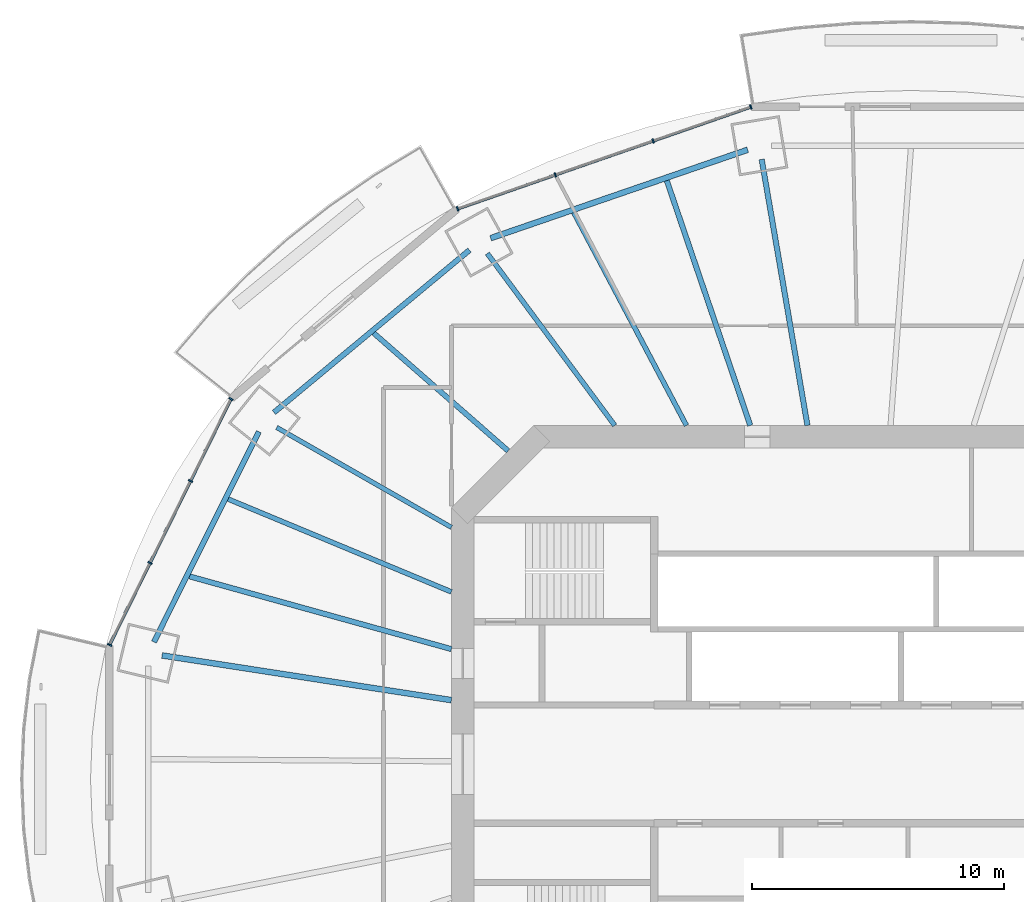
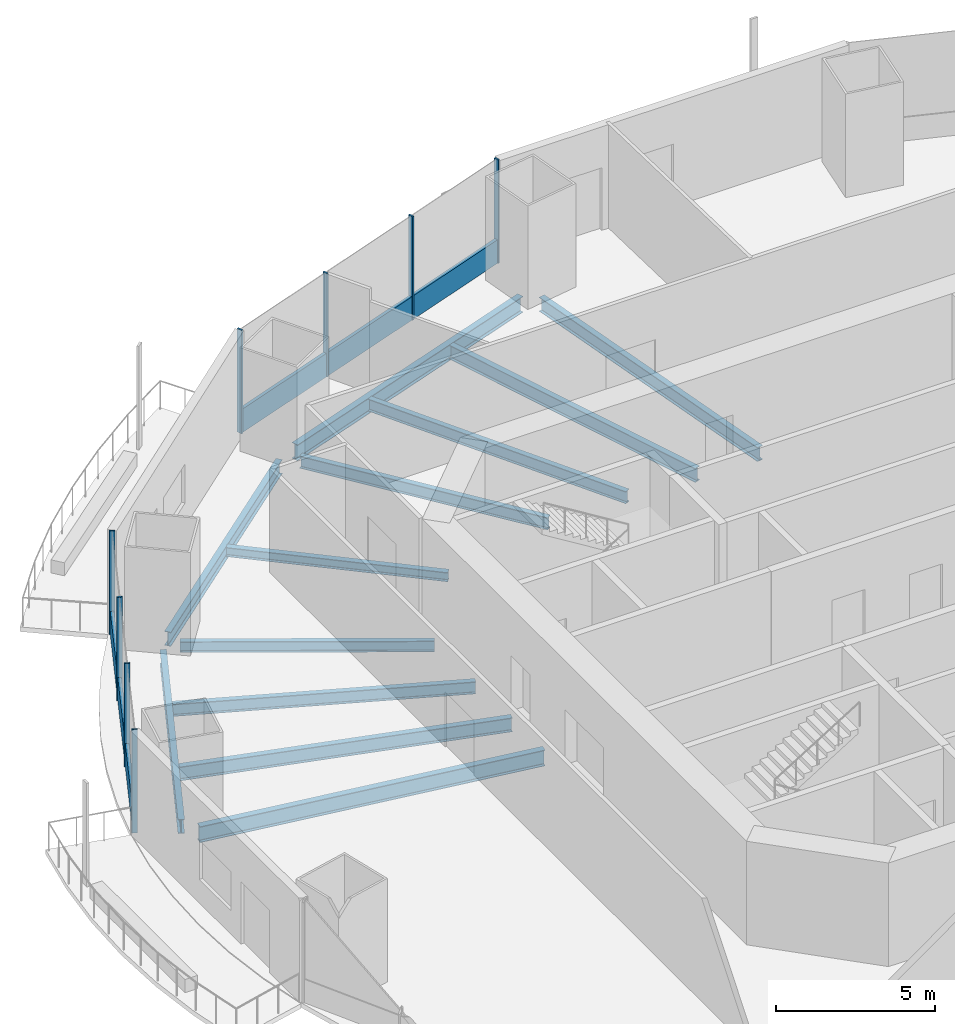
# One storey, part 6 of 20: 12 beams, 10 members, 2 elements without a shape of their own.
"""IFC4 building model written with IfcOpenShell, lengths in metres."""

from ifc_helpers import new_model, si_unit, direction, frame, origin, origin_2d, place, context, subcontext, project, spatial, rectangle, i_section, extrude, material, material_profile, profile_set, type_object, element, aggregate, save


model = new_model("IFC4")

# Units and contexts
model_context = context("Model", 3, precision=1e-05, world=origin(), true_north=direction((0.0, 1.0)))
body_context = subcontext(model_context, "Body", "Model", "MODEL_VIEW")
ifc_project = project(units=[si_unit("LENGTHUNIT", "METRE"), si_unit("AREAUNIT", "SQUARE_METRE"), si_unit("VOLUMEUNIT", "CUBIC_METRE"), si_unit("PLANEANGLEUNIT", "RADIAN"), si_unit("MASSUNIT", "GRAM", prefix="KILO")], contexts=[model_context])

# Site, building, storey
site_placement = place(None, origin())
site = spatial("IfcSite", under=ifc_project, at=site_placement, CompositionType="ELEMENT")
building_placement = place(site_placement, origin())
building = spatial("IfcBuilding", under=site, at=building_placement, Name="Marenthal Gate Tower", CompositionType="ELEMENT")
storey_placement = place(building_placement, frame((0.0, 0.0, 177.64990234375)))
storey = spatial("IfcBuildingStorey", under=building, at=storey_placement, Name="L38", CompositionType="ELEMENT", Elevation=177.64990234375)

# Curtain wall, members
ifc_material_1 = material(Name="Aluminium and glass", Category="aluminium")
curtain_wall_type = type_object("IfcCurtainWallType", Name="Curtain wall typical mid", PredefinedType="NOTDEFINED", material=ifc_material_1)
curtain_wall_1_placement = place(storey_placement, origin())
curtain_wall_1 = element("IfcCurtainWall", 1, at=curtain_wall_1_placement, inside=storey, type_object=curtain_wall_type, Name="Curtain wall L38 bay 5", PredefinedType="NOTDEFINED")
ifc_material_2 = material(Name="Aluminium", Category="aluminium")
ifc_material_profile_1 = material_profile(ifc_material_2, rectangle(XDim=0.179931640625, YDim=0.06005859375, at=origin_2d()), Name="60x180 aluminium mullion")
ifc_profile_set_1 = profile_set([ifc_material_profile_1], Name="Aluminium")
member_type_1 = type_object("IfcMemberType", Name="Mullion 60x180 typical mid", PredefinedType="MULLION", material=ifc_profile_set_1)
member_1_placement = place(storey_placement, frame((-4.560302734375, 26.093017578125, 0.0), z_axis=(0.0, 0.0, 1.0), x_axis=(0.32821091538, -0.944604464856, 0.0)))
member_1 = element("IfcMember", 2, at=member_1_placement, type_object=member_type_1, Name="Mullion L38 bay 5.1", PredefinedType="MULLION", context=body_context, shape_type="SweptSolid", body=[
    extrude(rectangle(XDim=0.179931640625, YDim=0.06005859375, at=origin_2d()), origin(), (0.0, 0.0, 1.0), 3.97021484375),
])
member_2_placement = place(storey_placement, frame((-8.44140625, 24.74462890625, 0.0), z_axis=(0.0, 0.0, 1.0), x_axis=(0.32821091538, -0.944604464856, 0.0)))
member_2 = element("IfcMember", 3, at=member_2_placement, type_object=member_type_1, Name="Mullion L38 bay 5.2", PredefinedType="MULLION", context=body_context, shape_type="SweptSolid", body=[
    extrude(rectangle(XDim=0.179931640625, YDim=0.06005859375, at=origin_2d()), origin(), (0.0, 0.0, 1.0), 3.97021484375),
])
member_3_placement = place(storey_placement, frame((-12.322509765625, 23.39599609375, 0.0), z_axis=(0.0, 0.0, 1.0), x_axis=(0.32821091538, -0.944604464856, 0.0)))
member_3 = element("IfcMember", 4, at=member_3_placement, type_object=member_type_1, Name="Mullion L38 bay 5.3", PredefinedType="MULLION", context=body_context, shape_type="SweptSolid", body=[
    extrude(rectangle(XDim=0.179931640625, YDim=0.06005859375, at=origin_2d()), origin(), (0.0, 0.0, 1.0), 3.97021484375),
])
member_4_placement = place(storey_placement, frame((-16.20361328125, 22.04736328125, 0.0), z_axis=(0.0, 0.0, 1.0), x_axis=(0.32821091538, -0.944604464856, 0.0)))
member_4 = element("IfcMember", 5, at=member_4_placement, type_object=member_type_1, Name="Mullion L38 bay 5.4", PredefinedType="MULLION", context=body_context, shape_type="SweptSolid", body=[
    extrude(rectangle(XDim=0.179931640625, YDim=0.06005859375, at=origin_2d()), origin(), (0.0, 0.0, 1.0), 3.97021484375),
])

curtain_wall_2_placement = place(storey_placement, origin())
curtain_wall_2 = element("IfcCurtainWall", 6, at=curtain_wall_2_placement, inside=storey, type_object=curtain_wall_type, Name="Curtain wall L38 bay 7", PredefinedType="NOTDEFINED")
member_5_placement = place(storey_placement, frame((-25.2001953125, 14.4990234375, 0.0), z_axis=(0.0, 0.0, 1.0), x_axis=(0.89664343149, -0.442753381428, 0.0)))
member_5 = element("IfcMember", 7, at=member_5_placement, type_object=member_type_1, Name="Mullion L38 bay 7.1", PredefinedType="MULLION", context=body_context, shape_type="SweptSolid", body=[
    extrude(rectangle(XDim=0.179931640625, YDim=0.06005859375, at=origin_2d()), origin(), (0.0, 0.0, 1.0), 3.97021484375),
])
member_6_placement = place(storey_placement, frame((-26.806884765625, 11.24560546875, 0.0), z_axis=(0.0, 0.0, 1.0), x_axis=(0.89664343149, -0.442753381428, 0.0)))
member_6 = element("IfcMember", 8, at=member_6_placement, type_object=member_type_1, Name="Mullion L38 bay 7.2", PredefinedType="MULLION", context=body_context, shape_type="SweptSolid", body=[
    extrude(rectangle(XDim=0.179931640625, YDim=0.06005859375, at=origin_2d()), origin(), (0.0, 0.0, 1.0), 3.97021484375),
])
member_7_placement = place(storey_placement, frame((-28.413330078125, 7.991943359375, 0.0), z_axis=(0.0, 0.0, 1.0), x_axis=(0.89664343149, -0.442753381428, 0.0)))
member_7 = element("IfcMember", 9, at=member_7_placement, type_object=member_type_1, Name="Mullion L38 bay 7.3", PredefinedType="MULLION", context=body_context, shape_type="SweptSolid", body=[
    extrude(rectangle(XDim=0.179931640625, YDim=0.06005859375, at=origin_2d()), origin(), (0.0, 0.0, 1.0), 3.97021484375),
])
member_8_placement = place(storey_placement, frame((-30.02001953125, 4.738525390625, 0.0), z_axis=(0.0, 0.0, 1.0), x_axis=(0.89664343149, -0.442753381428, 0.0)))
member_8 = element("IfcMember", 10, at=member_8_placement, type_object=member_type_1, Name="Mullion L38 bay 7.4", PredefinedType="MULLION", context=body_context, shape_type="SweptSolid", body=[
    extrude(rectangle(XDim=0.179931640625, YDim=0.06005859375, at=origin_2d()), origin(), (0.0, 0.0, 1.0), 3.97021484375),
])

# Member
ifc_material_3 = material(Name="Aluminium", Category="aluminium")
ifc_material_profile_2 = material_profile(ifc_material_3, rectangle(XDim=0.1201171875, YDim=0.89990234375, at=origin_2d()), Name="120x900 aluminium transom")
ifc_profile_set_2 = profile_set([ifc_material_profile_2], Name="Aluminium")
member_type_2 = type_object("IfcMemberType", Name="Transom 120x900 typical mid", PredefinedType="USERDEFINED", material=ifc_profile_set_2)
member_9_placement = place(storey_placement, frame((-4.588623046875, 26.083251953125, 0.4501953125), z_axis=(-0.944604688319, -0.328210272243, 0.0), x_axis=(0.328210272243, -0.944604688319, 0.0)))
member_9 = element("IfcMember", 11, at=member_9_placement, type_object=member_type_2, Name="Transom L38 bay 5", ObjectType="TRANSOM", PredefinedType="USERDEFINED", context=body_context, shape_type="SweptSolid", body=[
    extrude(rectangle(XDim=0.1201171875, YDim=0.89990234375, at=origin_2d()), origin(), (0.0, 0.0, 1.0), 12.26611328125),
])

aggregate(curtain_wall_1, [member_1, member_2, member_3, member_4, member_9])

member_10_placement = place(storey_placement, frame((-25.213623046875, 14.47216796875, 0.4501953125), z_axis=(-0.442760838876, -0.896639749039, 0.0), x_axis=(0.896639749039, -0.442760838876, 0.0)))
member_10 = element("IfcMember", 12, at=member_10_placement, type_object=member_type_2, Name="Transom L38 bay 7", ObjectType="TRANSOM", PredefinedType="USERDEFINED", context=body_context, shape_type="SweptSolid", body=[
    extrude(rectangle(XDim=0.1201171875, YDim=0.89990234375, at=origin_2d()), origin(), (0.0, 0.0, 1.0), 10.82568359375),
])

aggregate(curtain_wall_2, [member_5, member_6, member_7, member_8, member_10])

# Beams
ifc_material_4 = material(Name="Steel S355", Category="steel")
ifc_material_profile_3 = material_profile(ifc_material_4, i_section(OverallWidth=0.205078125, OverallDepth=0.35302734375, WebThickness=0.009521484375, FlangeThickness=0.016845703125, FilletRadius=0.014892578125, at=origin_2d()), Name="W360X79")
ifc_profile_set_3 = profile_set([ifc_material_profile_3], Name="Steel S355")
beam_type_1 = type_object("IfcBeamType", Name="W360X79 beam", PredefinedType="BEAM", material=ifc_profile_set_3)
beam_1_placement = place(storey_placement, frame((-19.533203125, 17.115234375, -0.3564453125), z_axis=(0.752145945083, -0.6589965685, 0.0), x_axis=(0.6589965685, 0.752145945083, 0.0)))
element("IfcBeam", 13, at=beam_1_placement, inside=storey, type_object=beam_type_1, Name="BM-L38-25", PredefinedType="BEAM", context=body_context, shape_type="SweptSolid", body=[
    extrude(i_section(OverallWidth=0.205078125, OverallDepth=0.35302734375, WebThickness=0.009521484375, FlangeThickness=0.016845703125, FilletRadius=0.014892578125, at=origin_2d()), origin(), (0.0, 0.0, 1.0), 7.094970703125),
])
ifc_material_5 = material(Name="Steel S355", Category="steel")
ifc_material_profile_4 = material_profile(ifc_material_5, i_section(OverallWidth=0.180908203125, OverallDepth=0.4169921875, WebThickness=0.010986328125, FlangeThickness=0.018310546875, FilletRadius=0.01025390625, at=origin_2d()), Name="W410X85")
ifc_profile_set_4 = profile_set([ifc_material_profile_4], Name="Steel S355")
beam_type_2 = type_object("IfcBeamType", Name="W410X85 beam", PredefinedType="BEAM", material=ifc_profile_set_4)
beam_2_placement = place(storey_placement, frame((-23.38427734375, 13.36865234375, -0.388427734375), z_axis=(0.868141553632, -0.496316675981, 0.0), x_axis=(0.496316675981, 0.868141553632, 0.0)))
element("IfcBeam", 14, at=beam_2_placement, inside=storey, type_object=beam_type_2, Name="BM-L38-07", PredefinedType="BEAM", context=body_context, shape_type="SweptSolid", body=[
    extrude(i_section(OverallWidth=0.180908203125, OverallDepth=0.4169921875, WebThickness=0.010986328125, FlangeThickness=0.018310546875, FilletRadius=0.01025390625, at=origin_2d()), origin(), (0.0, 0.0, 1.0), 7.987548828125),
])
ifc_material_6 = material(Name="Steel S355", Category="steel")
ifc_material_profile_5 = material_profile(ifc_material_6, i_section(OverallWidth=0.193115234375, OverallDepth=0.467041015625, WebThickness=0.011474609375, FlangeThickness=0.01904296875, FilletRadius=0.010009765625, at=origin_2d()), Name="W460X97")
ifc_profile_set_5 = profile_set([ifc_material_profile_5], Name="Steel S355")
beam_type_3 = type_object("IfcBeamType", Name="W460X97 beam", PredefinedType="BEAM", material=ifc_profile_set_5)
beam_3_placement = place(storey_placement, frame((-15.021484375, 20.274658203125, -0.413330078125), z_axis=(0.595307973616, -0.803497614526, 0.0), x_axis=(0.803497614526, 0.595307973616, 0.0)))
element("IfcBeam", 15, at=beam_3_placement, inside=storey, type_object=beam_type_3, Name="BM-L38-06", PredefinedType="BEAM", context=body_context, shape_type="SweptSolid", body=[
    extrude(i_section(OverallWidth=0.193115234375, OverallDepth=0.467041015625, WebThickness=0.011474609375, FlangeThickness=0.01904296875, FilletRadius=0.010009765625, at=origin_2d()), origin(), (0.0, 0.0, 1.0), 8.49365234375),
])
beam_4_placement = place(storey_placement, frame((-11.58984375, 21.89794921875, -0.413330078125), z_axis=(0.4677832695, -0.883843205991, 0.0), x_axis=(0.883843205991, 0.4677832695, 0.0)))
element("IfcBeam", 16, at=beam_4_placement, inside=storey, type_object=beam_type_3, Name="BM-L38-24", PredefinedType="BEAM", context=body_context, shape_type="SweptSolid", body=[
    extrude(i_section(OverallWidth=0.193115234375, OverallDepth=0.467041015625, WebThickness=0.011474609375, FlangeThickness=0.01904296875, FilletRadius=0.010009765625, at=origin_2d()), origin(), (0.0, 0.0, 1.0), 9.558349609375),
])
beam_5_placement = place(storey_placement, frame((-25.31201171875, 10.52587890625, -0.413330078125), z_axis=(0.923343865931, -0.383974094499, 0.0), x_axis=(0.383974094499, 0.923343865931, 0.0)))
element("IfcBeam", 17, at=beam_5_placement, inside=storey, type_object=beam_type_3, Name="BM-L38-26", PredefinedType="BEAM", context=body_context, shape_type="SweptSolid", body=[
    extrude(i_section(OverallWidth=0.193115234375, OverallDepth=0.467041015625, WebThickness=0.011474609375, FlangeThickness=0.01904296875, FilletRadius=0.010009765625, at=origin_2d()), origin(), (0.0, 0.0, 1.0), 9.597900390625),
])
ifc_material_7 = material(Name="Steel S355", Category="steel")
ifc_material_profile_6 = material_profile(ifc_material_7, i_section(OverallWidth=0.2099609375, OverallDepth=0.535888671875, WebThickness=0.010986328125, FlangeThickness=0.017333984375, FilletRadius=0.0126953125, at=origin_2d()), Name="W530X101")
ifc_profile_set_6 = profile_set([ifc_material_profile_6], Name="Steel S355")
beam_type_4 = type_object("IfcBeamType", Name="W530X101 beam", PredefinedType="BEAM", material=ifc_profile_set_6)
beam_6_placement = place(storey_placement, frame((-7.89697265625, 23.16845703125, -0.447998046875), z_axis=(0.32261921926, -0.946528837048, 0.0), x_axis=(0.946528837048, 0.32261921926, 0.0)))
element("IfcBeam", 18, at=beam_6_placement, inside=storey, type_object=beam_type_4, Name="BM-L38-23", PredefinedType="BEAM", context=body_context, shape_type="SweptSolid", body=[
    extrude(i_section(OverallWidth=0.2099609375, OverallDepth=0.535888671875, WebThickness=0.010986328125, FlangeThickness=0.017333984375, FilletRadius=0.0126953125, at=origin_2d()), origin(), (0.0, 0.0, 1.0), 10.267578125),
])
beam_7_placement = place(storey_placement, frame((-26.8427734375, 7.4560546875, -0.447998046875), z_axis=(0.963522125079, -0.267628687706, 0.0), x_axis=(0.267628687706, 0.963522125079, 0.0)))
element("IfcBeam", 19, at=beam_7_placement, inside=storey, type_object=beam_type_4, Name="BM-L38-27", PredefinedType="BEAM", context=body_context, shape_type="SweptSolid", body=[
    extrude(i_section(OverallWidth=0.2099609375, OverallDepth=0.535888671875, WebThickness=0.010986328125, FlangeThickness=0.017333984375, FilletRadius=0.0126953125, at=origin_2d()), origin(), (0.0, 0.0, 1.0), 10.786376953125),
])
ifc_material_8 = material(Name="Steel S355", Category="steel")
ifc_material_profile_7 = material_profile(ifc_material_8, i_section(OverallWidth=0.2119140625, OverallDepth=0.5439453125, WebThickness=0.01318359375, FlangeThickness=0.021240234375, FilletRadius=0.0126953125, at=origin_2d()), Name="W530X123")
ifc_profile_set_7 = profile_set([ifc_material_profile_7], Name="Steel S355")
beam_type_5 = type_object("IfcBeamType", Name="W530X123 beam", PredefinedType="BEAM", material=ifc_profile_set_7)
beam_8_placement = place(storey_placement, frame((-4.130615234375, 24.01123046875, -0.451904296875), z_axis=(0.169542999371, -0.98552279089, 0.0), x_axis=(0.98552279089, 0.169542999371, 0.0)))
element("IfcBeam", 20, at=beam_8_placement, inside=storey, type_object=beam_type_5, Name="BM-L38-05", PredefinedType="BEAM", context=body_context, shape_type="SweptSolid", body=[
    extrude(i_section(OverallWidth=0.2119140625, OverallDepth=0.5439453125, WebThickness=0.01318359375, FlangeThickness=0.021240234375, FilletRadius=0.0126953125, at=origin_2d()), origin(), (0.0, 0.0, 1.0), 10.71630859375),
])
beam_9_placement = place(storey_placement, frame((-15.73291015625, 20.409423828125, -0.451904296875), z_axis=(-0.769263759488, -0.638931348689, 0.0), x_axis=(0.638931348689, -0.769263759488, 0.0)))
element("IfcBeam", 21, at=beam_9_placement, inside=storey, type_object=beam_type_5, Name="BM-L38-46", PredefinedType="BEAM", context=body_context, shape_type="SweptSolid", body=[
    extrude(i_section(OverallWidth=0.2119140625, OverallDepth=0.5439453125, WebThickness=0.01318359375, FlangeThickness=0.021240234375, FilletRadius=0.0126953125, at=origin_2d()), origin(), (0.0, 0.0, 1.0), 10.087158203125),
])
beam_10_placement = place(storey_placement, frame((-24.095703125, 13.202392578125, -0.451904296875), z_axis=(-0.446271515311, -0.894897611251, 0.0), x_axis=(0.894897611251, -0.446271515311, 0.0)))
element("IfcBeam", 22, at=beam_10_placement, inside=storey, type_object=beam_type_5, Name="BM-L38-47", PredefinedType="BEAM", context=body_context, shape_type="SweptSolid", body=[
    extrude(i_section(OverallWidth=0.2119140625, OverallDepth=0.5439453125, WebThickness=0.01318359375, FlangeThickness=0.021240234375, FilletRadius=0.0126953125, at=origin_2d()), origin(), (0.0, 0.0, 1.0), 9.331787109375),
])
ifc_material_9 = material(Name="Steel S355", Category="steel")
ifc_material_profile_8 = material_profile(ifc_material_9, i_section(OverallWidth=0.22900390625, OverallDepth=0.612060546875, WebThickness=0.011962890625, FlangeThickness=0.01953125, FilletRadius=0.0126953125, at=origin_2d()), Name="W610X125")
ifc_profile_set_8 = profile_set([ifc_material_profile_8], Name="Steel S355")
beam_type_6 = type_object("IfcBeamType", Name="W610X125 beam", PredefinedType="BEAM", material=ifc_profile_set_8)
beam_11_placement = place(storey_placement, frame((-27.936767578125, 4.318603515625, -0.48583984375), z_axis=(0.988262414361, -0.152765835062, 0.0), x_axis=(0.152765835062, 0.988262414361, 0.0)))
element("IfcBeam", 23, at=beam_11_placement, inside=storey, type_object=beam_type_6, Name="BM-L38-08", PredefinedType="BEAM", context=body_context, shape_type="SweptSolid", body=[
    extrude(i_section(OverallWidth=0.22900390625, OverallDepth=0.612060546875, WebThickness=0.011962890625, FlangeThickness=0.01953125, FilletRadius=0.0126953125, at=origin_2d()), origin(), (0.0, 0.0, 1.0), 11.623291015625),
])
beam_12_placement = place(storey_placement, frame((-4.68603515625, 24.394287109375, -0.48583984375), z_axis=(-0.945598979252, -0.325334551559, 0.0), x_axis=(0.325334551559, -0.945598979252, 0.0)))
element("IfcBeam", 24, at=beam_12_placement, inside=storey, type_object=beam_type_6, Name="BM-L38-45", PredefinedType="BEAM", context=body_context, shape_type="SweptSolid", body=[
    extrude(i_section(OverallWidth=0.22900390625, OverallDepth=0.612060546875, WebThickness=0.011962890625, FlangeThickness=0.01953125, FilletRadius=0.0126953125, at=origin_2d()), origin(), (0.0, 0.0, 1.0), 10.7919921875),
])

save(model, "model.ifc")
